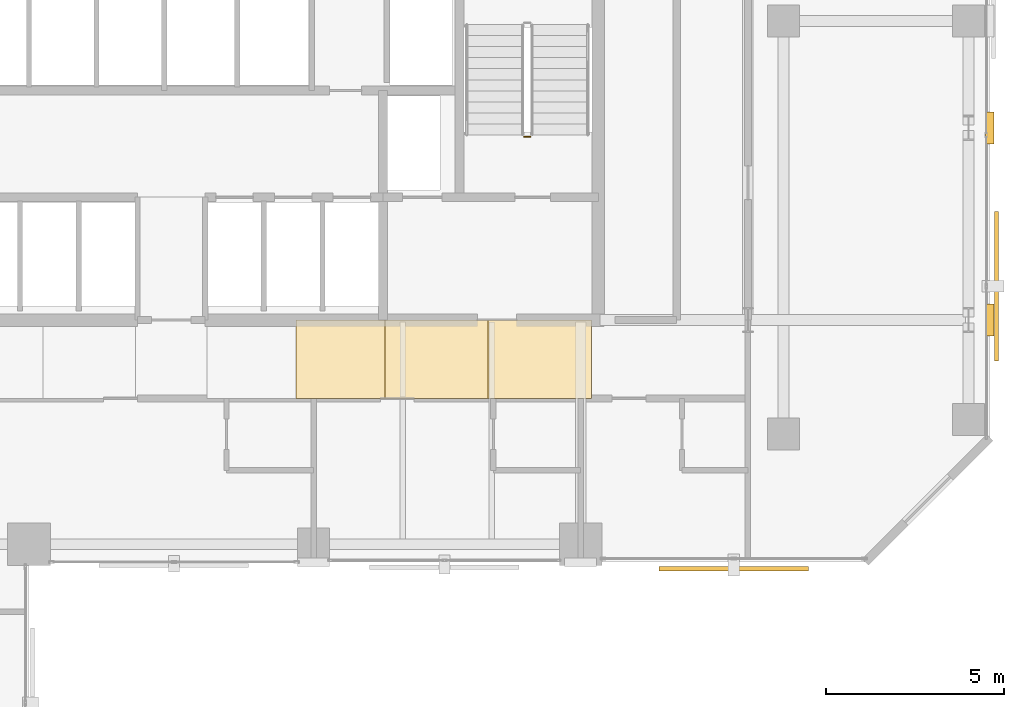
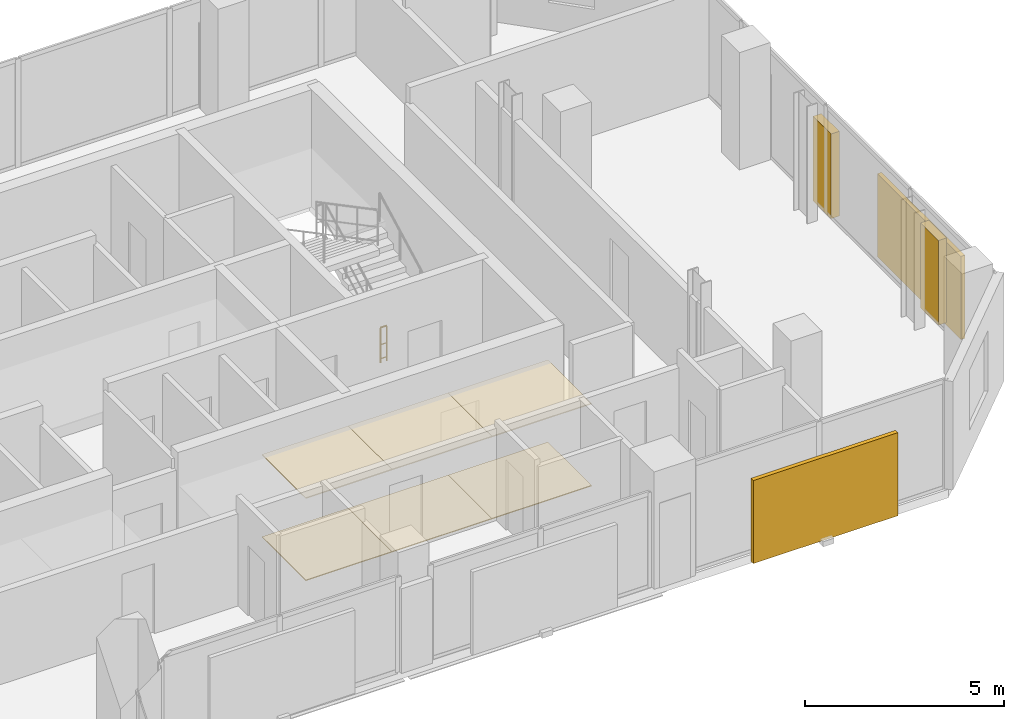
# One storey, part 34 of 35: 8 coverings, 2 shading devices, 1 railing.
"""IFC4 building model written with IfcOpenShell, lengths in metres."""

from ifc_helpers import new_model, si_unit, direction, frame, origin, origin_2d, place, context, subcontext, project, spatial, polyline, rectangle, circle, outline, extrude, material, layer, layer_set, type_object, element, save


model = new_model("IFC4")

# Units and contexts
model_context = context("Model", 3, precision=1e-05, world=origin(), true_north=direction((0.0, 1.0)))
body_context = subcontext(model_context, "Body", "Model", "MODEL_VIEW")
ifc_project = project(units=[si_unit("LENGTHUNIT", "METRE"), si_unit("AREAUNIT", "SQUARE_METRE"), si_unit("VOLUMEUNIT", "CUBIC_METRE"), si_unit("PLANEANGLEUNIT", "RADIAN"), si_unit("MASSUNIT", "GRAM", prefix="KILO")], contexts=[model_context])

# Site, building, storey
site_placement = place(None, origin())
site = spatial("IfcSite", under=ifc_project, at=site_placement, CompositionType="ELEMENT")
building_placement = place(site_placement, origin())
building = spatial("IfcBuilding", under=site, at=building_placement, Name="Catumbela Crestline Tower", CompositionType="ELEMENT")
storey_placement = place(building_placement, frame((0.0, 0.0, 90.0)))
storey = spatial("IfcBuildingStorey", under=building, at=storey_placement, Name="L22", CompositionType="ELEMENT", Elevation=90.0)

# Coverings
ifc_material_1 = material(Name="Mineral-fibre acoustic ceiling")
ifc_layer_1 = layer(ifc_material_1, 0.03, Name="Mineral-fibre acoustic ceiling")
ifc_layer_set_1 = layer_set([ifc_layer_1], Name="Mineral-fibre acoustic ceiling")
covering_type_1 = type_object("IfcCoveringType", Name="CC-AC", PredefinedType="CEILING", material=ifc_layer_set_1)
covering_1_placement = place(storey_placement, frame((0.0, 0.0, 2.52)))
element("IfcCovering", 1, at=covering_1_placement, inside=storey, type_object=covering_type_1, Name="L22 Corridor Acoustic Ceiling Bay 6", PredefinedType="CEILING", context=body_context, shape_type="SweptSolid", body=[
    extrude(outline(polyline([(31.5, 28.6), (34.0, 28.6), (34.0, 30.8), (31.5, 30.8), (31.5, 28.6)])), origin(), (0.0, 0.0, 1.0), 0.03),
])
covering_2_placement = place(storey_placement, frame((0.0, 0.0, 2.52)))
element("IfcCovering", 2, at=covering_2_placement, inside=storey, type_object=covering_type_1, Name="L22 Corridor Acoustic Ceiling Bay 7", PredefinedType="CEILING", context=body_context, shape_type="SweptSolid", body=[
    extrude(outline(polyline([(34.0, 28.6), (36.9, 28.6), (36.9, 30.8), (34.0, 30.8), (34.0, 28.6)])), origin(), (0.0, 0.0, 1.0), 0.03),
])
covering_3_placement = place(storey_placement, frame((0.0, 0.0, 2.52)))
element("IfcCovering", 3, at=covering_3_placement, inside=storey, type_object=covering_type_1, Name="L22 Corridor Acoustic Ceiling Bay 8", PredefinedType="CEILING", context=body_context, shape_type="SweptSolid", body=[
    extrude(outline(polyline([(36.9, 28.6), (39.8, 28.6), (39.8, 30.8), (36.9, 30.8), (36.9, 28.6)])), origin(), (0.0, 0.0, 1.0), 0.03),
])
ifc_material_2 = material(Name="Extruded terracotta ceramic", Category="masonry")
ifc_layer_2 = layer(ifc_material_2, 0.08, Name="Extruded terracotta ceramic")
ifc_layer_set_2 = layer_set([ifc_layer_2], Name="Extruded terracotta ceramic")
covering_type_2 = type_object("IfcCoveringType", Name="CC-TER", PredefinedType="CLADDING", material=ifc_layer_set_2)
for number, where, z_axis, x_axis, name in (
    (4, (51.0, 30.8, 0.0), (0.0, 0.0, 1.0), (0.0, 1.0, 0.0), "L22 Fluted Terracotta Column Cladding 87"),
    (5, (51.0, 36.2, 0.0), (0.0, 0.0, 1.0), (0.0, 1.0, 0.0), "L22 Fluted Terracotta Column Cladding 88"),
):
    element("IfcCovering", number, at=place(storey_placement, frame(where, z_axis=z_axis, x_axis=x_axis)), inside=storey, type_object=covering_type_2, Name=name, PredefinedType="CLADDING", context=body_context, shape_type="SweptSolid", body=[
        extrude(rectangle(XDim=0.9, YDim=0.24, at=origin_2d()), origin(), (0.0, 0.0, 1.0), 2.6),
    ])
ifc_material_3 = material(Name="Angolan grey-ochre granite", Category="masonry")
ifc_layer_3 = layer(ifc_material_3, 0.025, Name="Angolan grey-ochre granite")
ifc_layer_set_3 = layer_set([ifc_layer_3], Name="Angolan grey-ochre granite")
covering_type_3 = type_object("IfcCoveringType", Name="CF-GR", PredefinedType="FLOORING", material=ifc_layer_set_3)
covering_4_placement = place(storey_placement, origin())
element("IfcCovering", 6, at=covering_4_placement, inside=storey, type_object=covering_type_3, Name="L22 Corridor Granite Flooring Bay 6", PredefinedType="FLOORING", context=body_context, shape_type="SweptSolid", body=[
    extrude(outline(polyline([(31.5, 28.6), (34.0, 28.6), (34.0, 30.8), (31.5, 30.8), (31.5, 28.6)])), origin(), (0.0, 0.0, 1.0), 0.025),
])
covering_5_placement = place(storey_placement, origin())
element("IfcCovering", 7, at=covering_5_placement, inside=storey, type_object=covering_type_3, Name="L22 Corridor Granite Flooring Bay 7", PredefinedType="FLOORING", context=body_context, shape_type="SweptSolid", body=[
    extrude(outline(polyline([(34.0, 28.6), (36.9, 28.6), (36.9, 30.8), (34.0, 30.8), (34.0, 28.6)])), origin(), (0.0, 0.0, 1.0), 0.025),
])
covering_6_placement = place(storey_placement, origin())
element("IfcCovering", 8, at=covering_6_placement, inside=storey, type_object=covering_type_3, Name="L22 Corridor Granite Flooring Bay 8", PredefinedType="FLOORING", context=body_context, shape_type="SweptSolid", body=[
    extrude(outline(polyline([(36.9, 28.6), (39.8, 28.6), (39.8, 30.8), (36.9, 30.8), (36.9, 28.6)])), origin(), (0.0, 0.0, 1.0), 0.025),
])

# Railing
ifc_material_4 = material(Name="Stainless steel EN 1.4401", Category="steel")
railing_type = type_object("IfcRailingType", Name="RG-1100", PredefinedType="GUARDRAIL", material=ifc_material_4)
railing_placement = place(storey_placement, frame((38.09, 35.95, 0.0)))
element("IfcRailing", 9, at=railing_placement, inside=storey, type_object=railing_type, Name="L22 ST-02 stair guard 4", PredefinedType="GUARDRAIL", context=body_context, shape_type="SweptSolid", body=[
    extrude(circle(Radius=0.024, at=origin_2d()), frame((0.0, 0.0, 1.076), z_axis=(-1.0, 0.0, 0.0), x_axis=(0.0, -1.0, 0.0)), (0.0, 0.0, 1.0), 0.18),
    extrude(circle(Radius=0.0156, at=origin_2d()), frame((0.0, 0.0, 0.55), z_axis=(-1.0, 0.0, 0.0), x_axis=(0.0, -1.0, 0.0)), (0.0, 0.0, 1.0), 0.18),
    extrude(circle(Radius=0.0156, at=origin_2d()), frame((0.0, 0.0, 0.12), z_axis=(-1.0, 0.0, 0.0), x_axis=(0.0, -1.0, 0.0)), (0.0, 0.0, 1.0), 0.18),
    extrude(circle(Radius=0.021, at=origin_2d()), origin(), (0.0, 0.0, 1.0), 1.052),
    extrude(circle(Radius=0.021, at=origin_2d()), frame((-0.18, 0.0, 0.0)), (0.0, 0.0, 1.0), 1.052),
])

# Shading devices
shading_device_type = type_object("IfcShadingDeviceType", Name="ST-340", PredefinedType="USERDEFINED", material=ifc_material_2)
for number, where, z_axis, x_axis, name in (
    (10, (43.8, 23.813, -0.1), (0.0, 0.0, 1.0), (1.0, 0.0, 0.0), "L22 Perforated Terracotta Solar Screen 217 (340 mm)"),
    (11, (51.187, 31.75, -0.1), (0.0, 0.0, 1.0), (0.0, 1.0, 0.0), "L22 Perforated Terracotta Solar Screen 218 (340 mm)"),
):
    element("IfcShadingDevice", number, at=place(storey_placement, frame(where, z_axis=z_axis, x_axis=x_axis)), inside=storey, type_object=shading_device_type, Name=name, ObjectType="SCREEN", PredefinedType="USERDEFINED", context=body_context, shape_type="SweptSolid", body=[
        extrude(rectangle(XDim=4.2, YDim=0.12, at=origin_2d()), origin(), (0.0, 0.0, 1.0), 2.55),
    ])

save(model, "model.ifc")
